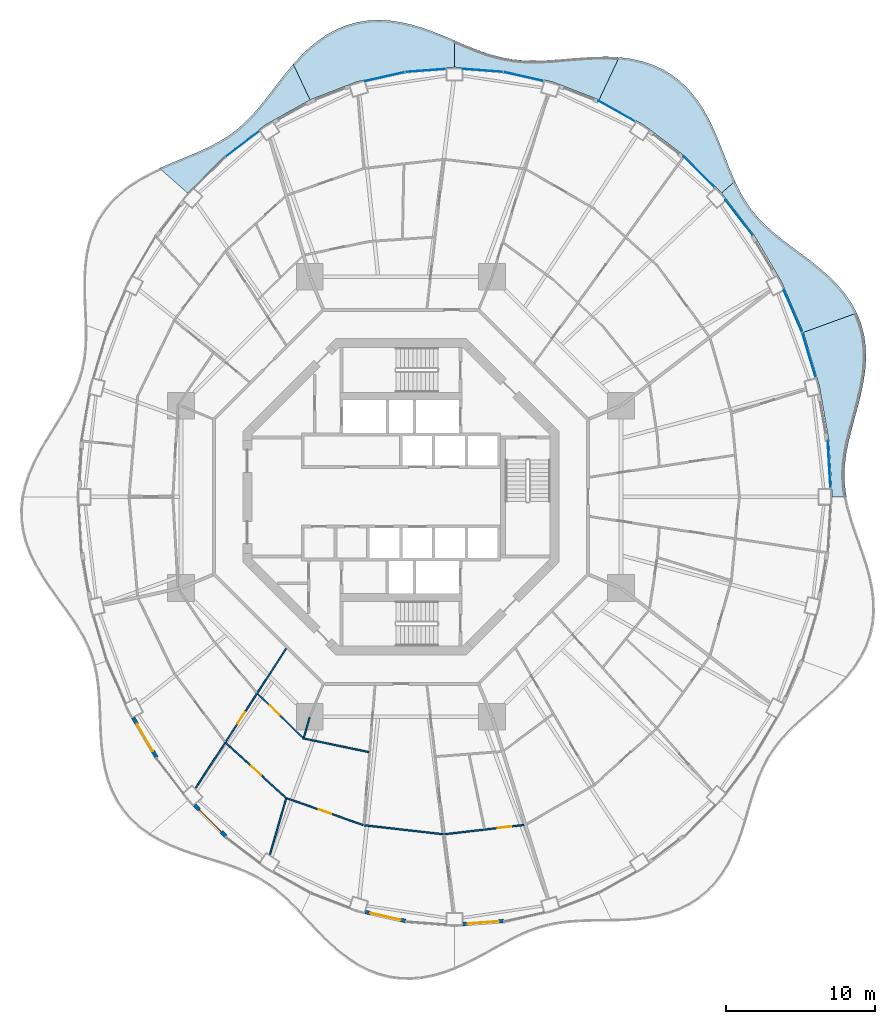
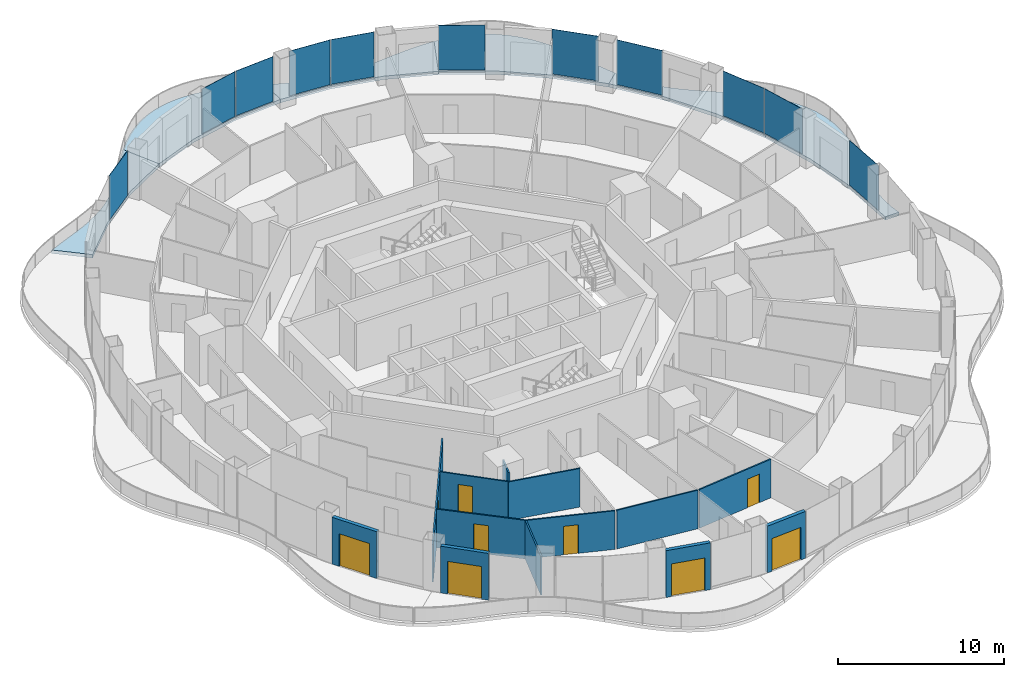
# One storey, part 10 of 19: 13 walls, 11 plates, 9 doors, 6 slabs, 9 openings, 11 elements without a shape of their own.
"""IFC4 building model written with IfcOpenShell, lengths in metres."""

from ifc_helpers import new_model, si_unit, direction, frame, frame_2d, origin, origin_2d, place, context, subcontext, project, spatial, polyline, rectangle, outline, extrude, material, layer, layer_set, type_object, element, fill, aggregate, save


model = new_model("IFC4")

# Units and contexts
model_context = context("Model", 3, precision=1e-05, world=origin(), true_north=direction((0.0, 1.0)))
body_context = subcontext(model_context, "Body", "Model", "MODEL_VIEW")
ifc_project = project(units=[si_unit("LENGTHUNIT", "METRE"), si_unit("AREAUNIT", "SQUARE_METRE"), si_unit("VOLUMEUNIT", "CUBIC_METRE"), si_unit("PLANEANGLEUNIT", "RADIAN"), si_unit("MASSUNIT", "GRAM", prefix="KILO")], contexts=[model_context])

# Site, building, storey
site_placement = place(None, origin())
site = spatial("IfcSite", under=ifc_project, at=site_placement, CompositionType="ELEMENT")
building_placement = place(site_placement, origin())
building = spatial("IfcBuilding", under=site, at=building_placement, Name="Nagisa Residences", CompositionType="ELEMENT")
storey_placement = place(building_placement, frame((0.0, 0.0, 195.5)))
storey = spatial("IfcBuildingStorey", under=building, at=storey_placement, Name="L49", CompositionType="ELEMENT", Elevation=195.5)

# Slabs
ifc_material_1 = material(Name="Concrete C40/50", Category="concrete")
ifc_layer_1 = layer(ifc_material_1, 0.25)
ifc_layer_set_1 = layer_set([ifc_layer_1], Name="BALCONY SLAB 250")
slab_type = type_object("IfcSlabType", Name="BALCONY SLAB 250", PredefinedType="FLOOR", material=ifc_layer_set_1)
slab_1_placement = place(storey_placement, frame((0.0, 0.0, -0.25)))
element("IfcSlab", 1, at=slab_1_placement, inside=storey, type_object=slab_type, Name="slab:L49:bal00", PredefinedType="FLOOR", context=body_context, shape_type="SweptSolid", body=[
    extrude(outline(polyline([(29.934326171875, 0.0), (29.834228515625, 0.72314453125), (29.799072265625, 1.445556640625), (29.82958984375, 2.171875), (29.921630859375, 2.906982421875), (30.06640625, 3.654541015625), (30.251708984375, 4.417236328125), (30.4619140625, 5.19580078125), (30.679443359375, 5.990234375), (30.885009765625, 6.798095703125), (31.059814453125, 7.615234375), (31.185546875, 8.436279296875), (31.245849609375, 9.254638671875), (31.22802734375, 10.06298828125), (31.122314453125, 10.85400390625), (30.923095703125, 11.6201171875), (30.6298828125, 12.35546875), (27.04345703125, 11.050048828125), (28.1103515625, 7.473388671875), (28.7578125, 3.76904296875), (28.97509765625, 0.0), (29.934326171875, 0.0)])), origin(), (0.0, 0.0, 1.0), 0.25),
])
slab_2_placement = place(storey_placement, frame((0.0, 0.0, -0.25)))
element("IfcSlab", 2, at=slab_2_placement, inside=storey, type_object=slab_type, Name="slab:L49:bal01", PredefinedType="FLOOR", context=body_context, shape_type="SweptSolid", body=[
    extrude(outline(polyline([(30.6298828125, 12.35546875), (30.259033203125, 13.03369140625), (29.81005859375, 13.67529296875), (29.293212890625, 14.279541015625), (28.721435546875, 14.84716796875), (28.109619140625, 15.381591796875), (27.4736328125, 15.887939453125), (26.82958984375, 16.373291015625), (26.19287109375, 16.845947265625), (25.57763671875, 17.315185546875), (24.9951171875, 17.79052734375), (24.4541015625, 18.281494140625), (23.960205078125, 18.796630859375), (23.51513671875, 19.3427734375), (23.1171875, 19.92529296875), (22.761474609375, 20.54638671875), (22.43994140625, 21.2060546875), (21.542724609375, 20.417724609375), (23.7314453125, 17.577880859375), (25.575439453125, 14.4375), (27.04345703125, 11.050048828125), (30.6298828125, 12.35546875)])), origin(), (0.0, 0.0, 1.0), 0.25),
])
slab_3_placement = place(storey_placement, frame((0.0, 0.0, -0.25)))
element("IfcSlab", 3, at=slab_3_placement, inside=storey, type_object=slab_type, Name="slab:L49:bal02", PredefinedType="FLOOR", context=body_context, shape_type="SweptSolid", body=[
    extrude(outline(polyline([(22.43994140625, 21.2060546875), (22.15576171875, 21.867919921875), (21.88232421875, 22.556884765625), (21.608642578125, 23.265380859375), (21.322998046875, 23.984130859375), (21.01416015625, 24.702392578125), (20.672119140625, 25.40771484375), (20.28857421875, 26.087890625), (19.856689453125, 26.730224609375), (19.37255859375, 27.3232421875), (18.833984375, 27.85693359375), (18.2421875, 28.32275390625), (17.600341796875, 28.71484375), (16.913330078125, 29.030517578125), (16.18798828125, 29.269775390625), (15.43310546875, 29.435546875), (14.6572265625, 29.5341796875), (13.310546875, 26.677001953125), (16.28759765625, 25.006591796875), (19.04736328125, 22.907958984375), (21.542724609375, 20.417724609375), (22.43994140625, 21.2060546875)])), origin(), (0.0, 0.0, 1.0), 0.25),
])
slab_4_placement = place(storey_placement, frame((0.0, 0.0, -0.25)))
element("IfcSlab", 4, at=slab_4_placement, inside=storey, type_object=slab_type, Name="slab:L49:bal03", PredefinedType="FLOOR", context=body_context, shape_type="SweptSolid", body=[
    extrude(outline(polyline([(14.6572265625, 29.5341796875), (13.898193359375, 29.573974609375), (13.13623046875, 29.56982421875), (12.3779296875, 29.533203125), (11.6298828125, 29.47705078125), (10.89599609375, 29.413818359375), (10.1796875, 29.3564453125), (9.48193359375, 29.317138671875), (8.802490234375, 29.305908203125), (8.139404296875, 29.33154296875), (7.489013671875, 29.3994140625), (6.84765625, 29.5126953125), (6.2099609375, 29.671630859375), (5.57080078125, 29.873291015625), (4.925537109375, 30.11181640625), (4.269775390625, 30.378662109375), (3.60009765625, 30.6630859375), (3.60009765625, 28.875), (6.912109375, 28.6279296875), (10.16748046875, 27.89111328125), (13.310546875, 26.677001953125), (14.6572265625, 29.5341796875)])), origin(), (0.0, 0.0, 1.0), 0.25),
])
slab_5_placement = place(storey_placement, frame((0.0, 0.0, -0.25)))
element("IfcSlab", 5, at=slab_5_placement, inside=storey, type_object=slab_type, Name="slab:L49:bal04", PredefinedType="FLOOR", context=body_context, shape_type="SweptSolid", body=[
    extrude(outline(polyline([(3.60009765625, 30.6630859375), (2.9140625, 30.95263671875), (2.211181640625, 31.233642578125), (1.4921875, 31.492431640625), (0.759521484375, 31.714599609375), (0.016845703125, 31.887451171875), (-0.730712890625, 31.99951171875), (-1.4775390625, 32.04150390625), (-2.21728515625, 32.006591796875), (-2.94287109375, 31.890380859375), (-3.6484375, 31.692138671875), (-4.328369140625, 31.413818359375), (-4.97802734375, 31.06005859375), (-5.594482421875, 30.63818359375), (-6.176025390625, 30.158447265625), (-6.7236328125, 29.631591796875), (-7.23876953125, 29.070556640625), (-6.110595703125, 26.677001953125), (-2.967529296875, 27.89111328125), (0.287841796875, 28.6279296875), (3.60009765625, 28.875), (3.60009765625, 30.6630859375)])), origin(), (0.0, 0.0, 1.0), 0.25),
])
slab_6_placement = place(storey_placement, frame((0.0, 0.0, -0.25)))
element("IfcSlab", 6, at=slab_6_placement, inside=storey, type_object=slab_type, Name="slab:L49:bal05", PredefinedType="FLOOR", context=body_context, shape_type="SweptSolid", body=[
    extrude(outline(polyline([(-7.23876953125, 29.070556640625), (-7.743408203125, 28.466064453125), (-8.22412109375, 27.853759765625), (-8.68798828125, 27.246826171875), (-9.143798828125, 26.65771484375), (-9.600830078125, 26.096923828125), (-10.06787109375, 25.572021484375), (-10.553466796875, 25.088134765625), (-11.064697265625, 24.64697265625), (-11.606689453125, 24.248046875), (-12.18310546875, 23.887451171875), (-12.794677734375, 23.559326171875), (-13.439697265625, 23.25537109375), (-14.11376953125, 22.966064453125), (-14.810302734375, 22.6806640625), (-15.5205078125, 22.388671875), (-16.233642578125, 22.079345703125), (-14.3427734375, 20.417724609375), (-11.847412109375, 22.907958984375), (-9.08740234375, 25.006591796875), (-6.110595703125, 26.677001953125), (-7.23876953125, 29.070556640625)])), origin(), (0.0, 0.0, 1.0), 0.25),
])

# Curtain wall, plate
ifc_material_2 = material(Name="Concrete-coloured aluminium curtain wall system", Category="concrete")
ifc_layer_2 = layer(ifc_material_2, 0.159912109375)
ifc_layer_set_2 = layer_set([ifc_layer_2], Name="CW1 CURTAIN WALL")
curtain_wall_type = type_object("IfcCurtainWallType", Name="CW1 CURTAIN WALL", PredefinedType="NOTDEFINED", material=ifc_layer_set_2)
curtain_wall_1_placement = place(storey_placement, origin())
curtain_wall_1 = element("IfcCurtainWall", 7, at=curtain_wall_1_placement, inside=storey, type_object=curtain_wall_type, Name="cw:CW1:L49:00", PredefinedType="NOTDEFINED")
ifc_material_3 = material(Name="Clear laminated glass", Category="glass")
ifc_layer_3 = layer(ifc_material_3, 0.028076171875)
ifc_layer_set_3 = layer_set([ifc_layer_3], Name="CW1 GLASS PANEL")
plate_type = type_object("IfcPlateType", Name="CW1 GLASS PANEL", PredefinedType="CURTAIN_PANEL", material=ifc_layer_set_3)
plate_1_placement = place(storey_placement, frame((28.76904296875, 2.184326171875, 0.14990234375), z_axis=(0.0, 0.0, 1.0), x_axis=(-0.057503492216, 0.998345305184, 0.0)))
plate_1 = element("IfcPlate", 8, at=plate_1_placement, type_object=plate_type, Name="CW1 panel", PredefinedType="CURTAIN_PANEL", context=body_context, shape_type="SweptSolid", body=[
    extrude(rectangle(XDim=3.165283203125, YDim=0.028076171875, at=origin_2d()), origin(), (0.0, 0.0, 1.0), 3.2900390625),
])
aggregate(curtain_wall_1, [plate_1])

curtain_wall_2_placement = place(storey_placement, origin())
curtain_wall_2 = element("IfcCurtainWall", 9, at=curtain_wall_2_placement, inside=storey, type_object=curtain_wall_type, Name="cw:CW1:L49:02", PredefinedType="NOTDEFINED")
plate_2_placement = place(storey_placement, frame((27.4130859375, 9.531005859375, 0.14990234375), z_axis=(0.0, 0.0, 1.0), x_axis=(-0.285860274038, 0.958271310082, 0.0)))
plate_2 = element("IfcPlate", 10, at=plate_2_placement, type_object=plate_type, Name="CW1 panel", PredefinedType="CURTAIN_PANEL", context=body_context, shape_type="SweptSolid", body=[
    extrude(rectangle(XDim=3.122314453125, YDim=0.028076171875, at=origin_2d()), origin(), (0.0, 0.0, 1.0), 3.2900390625),
])
aggregate(curtain_wall_2, [plate_2])

curtain_wall_3_placement = place(storey_placement, origin())
curtain_wall_3 = element("IfcCurtainWall", 11, at=curtain_wall_3_placement, inside=storey, type_object=curtain_wall_type, Name="cw:CW1:L49:03", PredefinedType="NOTDEFINED")
plate_3_placement = place(storey_placement, frame((26.33349609375, 12.487060546875, 0.14990234375), z_axis=(0.0, 0.0, 1.0), x_axis=(-0.397635934147, 0.917543276295, 0.0)))
plate_3 = element("IfcPlate", 12, at=plate_3_placement, type_object=plate_type, Name="CW1 panel", PredefinedType="CURTAIN_PANEL", context=body_context, shape_type="SweptSolid", body=[
    extrude(rectangle(XDim=3.08203125, YDim=0.028076171875, at=origin_2d()), origin(), (0.0, 0.0, 1.0), 3.2900390625),
])
aggregate(curtain_wall_3, [plate_3])

curtain_wall_4_placement = place(storey_placement, origin())
curtain_wall_4 = element("IfcCurtainWall", 13, at=curtain_wall_4_placement, inside=storey, type_object=curtain_wall_type, Name="cw:CW1:L49:05", PredefinedType="NOTDEFINED")
plate_4_placement = place(storey_placement, frame((22.723388671875, 18.7548828125, 0.14990234375), z_axis=(0.0, 0.0, 1.0), x_axis=(-0.610429828235, 0.792070340816, 0.0)))
plate_4 = element("IfcPlate", 14, at=plate_4_placement, type_object=plate_type, Name="CW1 panel", PredefinedType="CURTAIN_PANEL", context=body_context, shape_type="SweptSolid", body=[
    extrude(rectangle(XDim=2.97509765625, YDim=0.028076171875, at=origin_2d()), origin(), (0.0, 0.0, 1.0), 3.2900390625),
])
aggregate(curtain_wall_4, [plate_4])

curtain_wall_5_placement = place(storey_placement, origin())
curtain_wall_5 = element("IfcCurtainWall", 15, at=curtain_wall_5_placement, inside=storey, type_object=curtain_wall_type, Name="cw:CW1:L49:06", PredefinedType="NOTDEFINED")
plate_5_placement = place(storey_placement, frame((20.022705078125, 21.82177734375, 0.14990234375), z_axis=(0.0, 0.0, 1.0), x_axis=(-0.707835924016, 0.706376885714, 0.0)))
plate_5 = element("IfcPlate", 16, at=plate_5_placement, type_object=plate_type, Name="CW1 panel", PredefinedType="CURTAIN_PANEL", context=body_context, shape_type="SweptSolid", body=[
    extrude(rectangle(XDim=2.91552734375, YDim=0.028076171875, at=origin_2d()), origin(), (0.0, 0.0, 1.0), 3.2900390625),
])
aggregate(curtain_wall_5, [plate_5])

curtain_wall_6_placement = place(storey_placement, origin())
curtain_wall_6 = element("IfcCurtainWall", 17, at=curtain_wall_6_placement, inside=storey, type_object=curtain_wall_type, Name="cw:CW1:L49:08", PredefinedType="NOTDEFINED")
plate_6_placement = place(storey_placement, frame((14.493896484375, 25.921142578125, 0.14990234375), z_axis=(0.0, 0.0, 1.0), x_axis=(-0.872072377523, 0.489376918501, 0.0)))
plate_6 = element("IfcPlate", 18, at=plate_6_placement, type_object=plate_type, Name="CW1 panel", PredefinedType="CURTAIN_PANEL", context=body_context, shape_type="SweptSolid", body=[
    extrude(rectangle(XDim=2.8037109375, YDim=0.028076171875, at=origin_2d()), origin(), (0.0, 0.0, 1.0), 3.2900390625),
])
aggregate(curtain_wall_6, [plate_6])

curtain_wall_7_placement = place(storey_placement, origin())
curtain_wall_7 = element("IfcCurtainWall", 19, at=curtain_wall_7_placement, inside=storey, type_object=curtain_wall_type, Name="cw:CW1:L49:10", PredefinedType="NOTDEFINED")
plate_7_placement = place(storey_placement, frame((8.224609375, 28.248779296875, 0.14990234375), z_axis=(0.0, 0.0, 1.0), x_axis=(-0.975327274089, 0.2207639201, 0.0)))
plate_7 = element("IfcPlate", 20, at=plate_7_placement, type_object=plate_type, Name="CW1 panel", PredefinedType="CURTAIN_PANEL", context=body_context, shape_type="SweptSolid", body=[
    extrude(rectangle(XDim=2.727783203125, YDim=0.028076171875, at=origin_2d()), origin(), (0.0, 0.0, 1.0), 3.2900390625),
])
aggregate(curtain_wall_7, [plate_7])

curtain_wall_8_placement = place(storey_placement, origin())
curtain_wall_8 = element("IfcCurtainWall", 21, at=curtain_wall_8_placement, inside=storey, type_object=curtain_wall_type, Name="cw:CW1:L49:11", PredefinedType="NOTDEFINED")
plate_8_placement = place(storey_placement, frame((5.494384765625, 28.653564453125, 0.14990234375), z_axis=(0.0, 0.0, 1.0), x_axis=(-0.997230168512, 0.074377355493, 0.0)))
plate_8 = element("IfcPlate", 22, at=plate_8_placement, type_object=plate_type, Name="CW1 panel", PredefinedType="CURTAIN_PANEL", context=body_context, shape_type="SweptSolid", body=[
    extrude(rectangle(XDim=2.711181640625, YDim=0.028076171875, at=origin_2d()), origin(), (0.0, 0.0, 1.0), 3.2900390625),
])
aggregate(curtain_wall_8, [plate_8])

curtain_wall_9_placement = place(storey_placement, origin())
curtain_wall_9 = element("IfcCurtainWall", 23, at=curtain_wall_9_placement, inside=storey, type_object=curtain_wall_type, Name="cw:CW1:L49:12", PredefinedType="NOTDEFINED")
plate_9_placement = place(storey_placement, frame((1.645751953125, 28.64892578125, 0.14990234375), z_axis=(0.0, 0.0, 1.0), x_axis=(-0.997230168512, -0.074377355493, 0.0)))
plate_9 = element("IfcPlate", 24, at=plate_9_placement, type_object=plate_type, Name="CW1 panel", PredefinedType="CURTAIN_PANEL", context=body_context, shape_type="SweptSolid", body=[
    extrude(rectangle(XDim=2.711181640625, YDim=0.028076171875, at=origin_2d()), origin(), (0.0, 0.0, 1.0), 3.2900390625),
])
aggregate(curtain_wall_9, [plate_9])

curtain_wall_10_placement = place(storey_placement, origin())
curtain_wall_10 = element("IfcCurtainWall", 25, at=curtain_wall_10_placement, inside=storey, type_object=curtain_wall_type, Name="cw:CW1:L49:13", PredefinedType="NOTDEFINED")
plate_10_placement = place(storey_placement, frame((-1.083251953125, 28.235595703125, 0.14990234375), z_axis=(0.0, 0.0, 1.0), x_axis=(-0.975327274089, -0.2207639201, 0.0)))
plate_10 = element("IfcPlate", 26, at=plate_10_placement, type_object=plate_type, Name="CW1 panel", PredefinedType="CURTAIN_PANEL", context=body_context, shape_type="SweptSolid", body=[
    extrude(rectangle(XDim=2.727783203125, YDim=0.028076171875, at=origin_2d()), origin(), (0.0, 0.0, 1.0), 3.2900390625),
])
aggregate(curtain_wall_10, [plate_10])

curtain_wall_11_placement = place(storey_placement, origin())
curtain_wall_11 = element("IfcCurtainWall", 27, at=curtain_wall_11_placement, inside=storey, type_object=curtain_wall_type, Name="cw:CW1:L49:16", PredefinedType="NOTDEFINED")
plate_11_placement = place(storey_placement, frame((-10.661865234375, 23.708984375, 0.14990234375), z_axis=(0.0, 0.0, 1.0), x_axis=(-0.79603132756, -0.605255421737, 0.0)))
plate_11 = element("IfcPlate", 28, at=plate_11_placement, type_object=plate_type, Name="CW1 panel", PredefinedType="CURTAIN_PANEL", context=body_context, shape_type="SweptSolid", body=[
    extrude(rectangle(XDim=2.85693359375, YDim=0.028076171875, at=origin_2d()), origin(), (0.0, 0.0, 1.0), 3.2900390625),
])
aggregate(curtain_wall_11, [plate_11])

# Wall, opening, door
ifc_material_4 = material(Name="Gypsum board on steel studs", Category="steel")
ifc_layer_4 = layer(ifc_material_4, 0.10009765625)
ifc_layer_set_4 = layer_set([ifc_layer_4], Name="Apartment partition 100")
wall_type_1 = type_object("IfcWallType", Name="Apartment partition 100", PredefinedType="PARTITIONING", material=ifc_layer_set_4)
wall_1_placement = place(storey_placement, frame((-7.71240234375, -10.1953125, 0.0), z_axis=(0.0, 0.0, 1.0), x_axis=(-0.544176533609, -0.838970738625, 0.0)))
wall_1 = element("IfcWall", 29, at=wall_1_placement, inside=storey, type_object=wall_type_1, Name="wall:L49:u62", PredefinedType="PARTITIONING", context=body_context, shape_type="SweptSolid", body=[
    extrude(rectangle(XDim=11.155517578125, YDim=0.10009765625, at=frame_2d((5.57763671875, 0.0))), origin(), (0.0, 0.0, 1.0), 2.756103515625),
])
opening_1_placement = place(wall_1_placement, frame((5.100830078125, 0.0, 0.0)))
opening_1 = element("IfcOpeningElement", 30, at=opening_1_placement, cuts=wall_1, Name="Opening L49-U10", PredefinedType="OPENING", context=body_context, shape_type="SweptSolid", body=[
    extrude(rectangle(XDim=0.89990234375, YDim=2.10009765625, at=frame_2d((0.449951171875, 1.050048828125))), frame((0.0, 0.06005859375, 0.0), z_axis=(0.0, -1.0, 0.0), x_axis=(1.0, 0.0, 0.0)), (0.0, 0.0, 1.0), 0.1201171875),
])
ifc_material_5 = material(Name="Timber door set", Category="wood")
door_type_1 = type_object("IfcDoorType", Name="Apartment door 900x2100", OperationType="NOTDEFINED", PredefinedType="DOOR", material=ifc_material_5)
door_1_placement = place(opening_1_placement, frame((0.89990234375, 0.0, 0.0), x_axis=(-1.0, 0.0, 0.0)))
door_1 = element("IfcDoor", 31, at=door_1_placement, inside=storey, type_object=door_type_1, Name="Door to kitchen, Apartment 49A", OperationType="SINGLE_SWING_LEFT", OverallHeight=2.10009765625, OverallWidth=0.89990234375, PredefinedType="DOOR", context=body_context, shape_type="SweptSolid", body=[
    extrude(rectangle(XDim=0.89990234375, YDim=2.10009765625, at=frame_2d((0.449951171875, 1.050048828125))), frame((0.0, 0.02490234375, 0.0), z_axis=(0.0, -1.0, 0.0), x_axis=(1.0, 0.0, 0.0)), (0.0, 0.0, 1.0), 0.050048828125),
])
fill(opening_1, door_1)

wall_2_placement = place(storey_placement, frame((-9.62744140625, -13.238037109375, 0.0), z_axis=(0.0, 0.0, 1.0), x_axis=(0.716946269374, -0.697128429223, 0.0)))
wall_2 = element("IfcWall", 32, at=wall_2_placement, inside=storey, type_object=wall_type_1, Name="wall:L49:u63", PredefinedType="PARTITIONING", context=body_context, shape_type="SweptSolid", body=[
    extrude(rectangle(XDim=4.250244140625, YDim=0.10009765625, at=frame_2d((2.125, 0.0))), origin(), (0.0, 0.0, 1.0), 2.8369140625),
])
opening_2_placement = place(wall_2_placement, frame((1.14501953125, 0.0, 0.0)))
opening_2 = element("IfcOpeningElement", 33, at=opening_2_placement, cuts=wall_2, Name="Opening L49-U09", PredefinedType="OPENING", context=body_context, shape_type="SweptSolid", body=[
    extrude(rectangle(XDim=0.89990234375, YDim=2.10009765625, at=frame_2d((0.449951171875, 1.050048828125))), frame((0.0, 0.06005859375, 0.0), z_axis=(0.0, -1.0, 0.0), x_axis=(1.0, 0.0, 0.0)), (0.0, 0.0, 1.0), 0.1201171875),
])
door_2_placement = place(opening_2_placement, origin())
door_2 = element("IfcDoor", 34, at=door_2_placement, inside=storey, type_object=door_type_1, Name="Door to laundry, Apartment 49A", OperationType="SINGLE_SWING_LEFT", OverallHeight=2.10009765625, OverallWidth=0.89990234375, PredefinedType="DOOR", context=body_context, shape_type="SweptSolid", body=[
    extrude(rectangle(XDim=0.89990234375, YDim=2.10009765625, at=frame_2d((0.449951171875, 1.050048828125))), frame((0.0, 0.02490234375, 0.0), z_axis=(0.0, -1.0, 0.0), x_axis=(1.0, 0.0, 0.0)), (0.0, 0.0, 1.0), 0.050048828125),
])
fill(opening_2, door_2)

wall_3_placement = place(storey_placement, frame((-11.765625, -16.534912109375, 0.0), z_axis=(0.0, 0.0, 1.0), x_axis=(0.738053852169, -0.674741810842, 0.0)))
wall_3 = element("IfcWall", 35, at=wall_3_placement, inside=storey, type_object=wall_type_1, Name="wall:L49:u64", PredefinedType="PARTITIONING", context=body_context, shape_type="SweptSolid", body=[
    extrude(rectangle(XDim=5.549072265625, YDim=0.10009765625, at=frame_2d((2.7744140625, 0.0))), origin(), (0.0, 0.0, 1.0), 2.8369140625),
])
opening_3_placement = place(wall_3_placement, frame((2.299560546875, 0.0, 0.0)))
opening_3 = element("IfcOpeningElement", 36, at=opening_3_placement, cuts=wall_3, Name="Opening L49-U06", PredefinedType="OPENING", context=body_context, shape_type="SweptSolid", body=[
    extrude(rectangle(XDim=0.89990234375, YDim=2.10009765625, at=frame_2d((0.449951171875, 1.050048828125))), frame((0.0, 0.06005859375, 0.0), z_axis=(0.0, -1.0, 0.0), x_axis=(1.0, 0.0, 0.0)), (0.0, 0.0, 1.0), 0.1201171875),
])
door_3_placement = place(opening_3_placement, frame((0.89990234375, 0.0, 0.0), x_axis=(-1.0, 0.0, 0.0)))
door_3 = element("IfcDoor", 37, at=door_3_placement, inside=storey, type_object=door_type_1, Name="Door to master bedroom, Apartment 49A", OperationType="SINGLE_SWING_LEFT", OverallHeight=2.10009765625, OverallWidth=0.89990234375, PredefinedType="DOOR", context=body_context, shape_type="SweptSolid", body=[
    extrude(rectangle(XDim=0.89990234375, YDim=2.10009765625, at=frame_2d((0.449951171875, 1.050048828125))), frame((0.0, 0.02490234375, 0.0), z_axis=(0.0, -1.0, 0.0), x_axis=(1.0, 0.0, 0.0)), (0.0, 0.0, 1.0), 0.050048828125),
])
fill(opening_3, door_3)

# Walls
wall_4_placement = place(storey_placement, frame((-6.136962890625, -14.83056640625, 0.0), z_axis=(0.0, 0.0, 1.0), x_axis=(-0.2785069197, -0.960434222464, 0.0)))
element("IfcWall", 38, at=wall_4_placement, inside=storey, type_object=wall_type_1, Name="wall:L49:u66", PredefinedType="PARTITIONING", context=body_context, shape_type="SweptSolid", body=[
    extrude(rectangle(XDim=1.4130859375, YDim=0.10009765625, at=frame_2d((0.70654296875, 0.0))), origin(), (0.0, 0.0, 1.0), 3.43994140625),
])
wall_5_placement = place(storey_placement, frame((-6.593505859375, -16.2255859375, 0.0), z_axis=(0.0, 0.0, 1.0), x_axis=(0.978902428641, -0.204328253553, 0.0)))
element("IfcWall", 39, at=wall_5_placement, inside=storey, type_object=wall_type_1, Name="wall:L49:u67", PredefinedType="PARTITIONING", context=body_context, shape_type="SweptSolid", body=[
    extrude(rectangle(XDim=4.53564453125, YDim=0.10009765625, at=frame_2d((2.267822265625, 0.0))), origin(), (0.0, 0.0, 1.0), 2.8369140625),
])
wall_6_placement = place(storey_placement, frame((-7.720947265625, -20.293212890625, 0.0), z_axis=(0.0, 0.0, 1.0), x_axis=(-0.278445616281, -0.960451997121, 0.0)))
element("IfcWall", 40, at=wall_6_placement, inside=storey, type_object=wall_type_1, Name="wall:L49:u68", PredefinedType="PARTITIONING", context=body_context, shape_type="SweptSolid", body=[
    extrude(rectangle(XDim=3.885009765625, YDim=0.10009765625, at=frame_2d((1.9423828125, 0.0))), origin(), (0.0, 0.0, 1.0), 2.8369140625),
])

# Wall, opening, door
wall_7_placement = place(storey_placement, frame((-7.659912109375, -20.26171875, 0.0), z_axis=(0.0, 0.0, 1.0), x_axis=(0.943911038661, -0.330199865375, 0.0)))
wall_7 = element("IfcWall", 41, at=wall_7_placement, inside=storey, type_object=wall_type_1, Name="wall:L49:u69", PredefinedType="PARTITIONING", context=body_context, shape_type="SweptSolid", body=[
    extrude(rectangle(XDim=5.41748046875, YDim=0.10009765625, at=frame_2d((2.708740234375, 0.0))), origin(), (0.0, 0.0, 1.0), 2.8369140625),
])
opening_4_placement = place(wall_7_placement, frame((2.2587890625, 0.0, 0.0)))
opening_4 = element("IfcOpeningElement", 42, at=opening_4_placement, cuts=wall_7, Name="Opening L49-U07", PredefinedType="OPENING", context=body_context, shape_type="SweptSolid", body=[
    extrude(rectangle(XDim=0.89990234375, YDim=2.10009765625, at=frame_2d((0.449951171875, 1.050048828125))), frame((0.0, 0.06005859375, 0.0), z_axis=(0.0, -1.0, 0.0), x_axis=(1.0, 0.0, 0.0)), (0.0, 0.0, 1.0), 0.1201171875),
])
door_4_placement = place(opening_4_placement, frame((0.89990234375, 0.0, 0.0), x_axis=(-1.0, 0.0, 0.0)))
door_4 = element("IfcDoor", 43, at=door_4_placement, inside=storey, type_object=door_type_1, Name="Door to family room, Apartment 49A", OperationType="SINGLE_SWING_RIGHT", OverallHeight=2.10009765625, OverallWidth=0.89990234375, PredefinedType="DOOR", context=body_context, shape_type="SweptSolid", body=[
    extrude(rectangle(XDim=0.89990234375, YDim=2.10009765625, at=frame_2d((0.449951171875, 1.050048828125))), frame((0.0, 0.02490234375, 0.0), z_axis=(0.0, -1.0, 0.0), x_axis=(1.0, 0.0, 0.0)), (0.0, 0.0, 1.0), 0.050048828125),
])
fill(opening_4, door_4)

# Wall
wall_8_placement = place(storey_placement, frame((-2.449462890625, -22.07275390625, 0.0), z_axis=(0.0, 0.0, 1.0), x_axis=(0.993660315081, -0.112424099879, 0.0)))
element("IfcWall", 44, at=wall_8_placement, inside=storey, type_object=wall_type_1, Name="wall:L49:u71", PredefinedType="PARTITIONING", context=body_context, shape_type="SweptSolid", body=[
    extrude(rectangle(XDim=5.32470703125, YDim=0.10009765625, at=frame_2d((2.662353515625, 0.0))), origin(), (0.0, 0.0, 1.0), 2.8369140625),
])

# Wall, opening, door
wall_9_placement = place(storey_placement, frame((2.94091796875, -22.67138671875, 0.0), z_axis=(0.0, 0.0, 1.0), x_axis=(0.993247307754, 0.116016316261, 0.0)))
wall_9 = element("IfcWall", 45, at=wall_9_placement, inside=storey, type_object=wall_type_1, Name="wall:L49:u74", PredefinedType="PARTITIONING", context=body_context, shape_type="SweptSolid", body=[
    extrude(rectangle(XDim=5.357666015625, YDim=0.10009765625, at=frame_2d((2.6787109375, 0.0))), origin(), (0.0, 0.0, 1.0), 2.8369140625),
])
opening_5_placement = place(wall_9_placement, frame((3.580810546875, 0.0, 0.0)))
opening_5 = element("IfcOpeningElement", 46, at=opening_5_placement, cuts=wall_9, Name="Opening L49-U11", PredefinedType="OPENING", context=body_context, shape_type="SweptSolid", body=[
    extrude(rectangle(XDim=0.89990234375, YDim=2.10009765625, at=frame_2d((0.449951171875, 1.050048828125))), frame((0.0, 0.06005859375, 0.0), z_axis=(0.0, -1.0, 0.0), x_axis=(1.0, 0.0, 0.0)), (0.0, 0.0, 1.0), 0.1201171875),
])
door_5_placement = place(opening_5_placement, origin())
door_5 = element("IfcDoor", 47, at=door_5_placement, inside=storey, type_object=door_type_1, Name="Door to en-suite bathroom, Apartment 49A", OperationType="SINGLE_SWING_LEFT", OverallHeight=2.10009765625, OverallWidth=0.89990234375, PredefinedType="DOOR", context=body_context, shape_type="SweptSolid", body=[
    extrude(rectangle(XDim=0.89990234375, YDim=2.10009765625, at=frame_2d((0.449951171875, 1.050048828125))), frame((0.0, 0.02490234375, 0.0), z_axis=(0.0, -1.0, 0.0), x_axis=(1.0, 0.0, 0.0)), (0.0, 0.0, 1.0), 0.050048828125),
])
fill(opening_5, door_5)

ifc_material_6 = material(Name="Precast concrete C40/50", Category="concrete")
ifc_layer_5 = layer(ifc_material_6, 0.25)
ifc_layer_set_5 = layer_set([ifc_layer_5], Name="BALCONY DOOR WALL 250")
wall_type_2 = type_object("IfcWallType", Name="BALCONY DOOR WALL 250", PredefinedType="SOLIDWALL", material=ifc_layer_set_5)
wall_10_placement = place(storey_placement, frame((-16.423583984375, -17.5146484375, 0.0), z_axis=(0.0, 0.0, 1.0), x_axis=(-0.506309086483, 0.862352079458, 0.0)))
wall_10 = element("IfcWall", 48, at=wall_10_placement, inside=storey, type_object=wall_type_2, Name="wall:L49:bay28", PredefinedType="SOLIDWALL", context=body_context, shape_type="SweptSolid", body=[
    extrude(rectangle(XDim=3.091796875, YDim=0.25, at=frame_2d((1.5458984375, 0.0))), origin(), (0.0, 0.0, 1.0), 3.43994140625),
])
opening_6_placement = place(wall_10_placement, frame((0.495849609375, 0.0, 0.0)))
opening_6 = element("IfcOpeningElement", 49, at=opening_6_placement, cuts=wall_10, Name="Opening BD-L49-10", PredefinedType="OPENING", context=body_context, shape_type="SweptSolid", body=[
    extrude(rectangle(XDim=2.10009765625, YDim=2.39990234375, at=frame_2d((1.050048828125, 1.199951171875))), frame((0.0, 0.135009765625, 0.0), z_axis=(0.0, -1.0, 0.0), x_axis=(1.0, 0.0, 0.0)), (0.0, 0.0, 1.0), 0.27001953125),
])
ifc_material_7 = material(Name="Aluminium and clear glass", Category="aluminium")
door_type_2 = type_object("IfcDoorType", Name="BALCONY SLIDING DOOR 2100x2400", OperationType="SLIDING_TO_LEFT", PredefinedType="DOOR", material=ifc_material_7)
door_6_placement = place(opening_6_placement, origin())
door_6 = element("IfcDoor", 50, at=door_6_placement, inside=storey, type_object=door_type_2, Name="door:L49:bay28", OperationType="SLIDING_TO_LEFT", OverallHeight=2.39990234375, OverallWidth=2.10009765625, PredefinedType="DOOR", context=body_context, shape_type="SweptSolid", body=[
    extrude(rectangle(XDim=2.10009765625, YDim=2.39990234375, at=frame_2d((1.050048828125, 1.199951171875))), frame((0.0, 0.02490234375, 0.0), z_axis=(0.0, -1.0, 0.0), x_axis=(1.0, 0.0, 0.0)), (0.0, 0.0, 1.0), 0.050048828125),
])
fill(opening_6, door_6)

wall_11_placement = place(storey_placement, frame((-11.759033203125, -22.819580078125, 0.0), z_axis=(0.0, 0.0, 1.0), x_axis=(-0.707844845069, 0.706367946122, 0.0)))
wall_11 = element("IfcWall", 51, at=wall_11_placement, inside=storey, type_object=wall_type_2, Name="wall:L49:bay30", PredefinedType="SOLIDWALL", context=body_context, shape_type="SweptSolid", body=[
    extrude(rectangle(XDim=2.9755859375, YDim=0.25, at=frame_2d((1.48779296875, 0.0))), origin(), (0.0, 0.0, 1.0), 3.43994140625),
])
opening_7_placement = place(wall_11_placement, frame((0.437744140625, 0.0, 0.0)))
opening_7 = element("IfcOpeningElement", 52, at=opening_7_placement, cuts=wall_11, Name="Opening BD-L49-11", PredefinedType="OPENING", context=body_context, shape_type="SweptSolid", body=[
    extrude(rectangle(XDim=2.10009765625, YDim=2.39990234375, at=frame_2d((1.050048828125, 1.199951171875))), frame((0.0, 0.135009765625, 0.0), z_axis=(0.0, -1.0, 0.0), x_axis=(1.0, 0.0, 0.0)), (0.0, 0.0, 1.0), 0.27001953125),
])
door_7_placement = place(opening_7_placement, origin())
door_7 = element("IfcDoor", 53, at=door_7_placement, inside=storey, type_object=door_type_2, Name="door:L49:bay30", OperationType="SLIDING_TO_LEFT", OverallHeight=2.39990234375, OverallWidth=2.10009765625, PredefinedType="DOOR", context=body_context, shape_type="SweptSolid", body=[
    extrude(rectangle(XDim=2.10009765625, YDim=2.39990234375, at=frame_2d((1.050048828125, 1.199951171875))), frame((0.0, 0.02490234375, 0.0), z_axis=(0.0, -1.0, 0.0), x_axis=(1.0, 0.0, 0.0)), (0.0, 0.0, 1.0), 0.050048828125),
])
fill(opening_7, door_7)

wall_12_placement = place(storey_placement, frame((0.3154296875, -28.506103515625, 0.0), z_axis=(0.0, 0.0, 1.0), x_axis=(-0.975324329911, 0.220776926974, 0.0)))
wall_12 = element("IfcWall", 54, at=wall_12_placement, inside=storey, type_object=wall_type_2, Name="wall:L49:bay34", PredefinedType="SOLIDWALL", context=body_context, shape_type="SweptSolid", body=[
    extrude(rectangle(XDim=2.787841796875, YDim=0.25, at=frame_2d((1.39404296875, 0.0))), origin(), (0.0, 0.0, 1.0), 3.43994140625),
])
opening_8_placement = place(wall_12_placement, frame((0.343994140625, 0.0, 0.0)))
opening_8 = element("IfcOpeningElement", 55, at=opening_8_placement, cuts=wall_12, Name="Opening BD-L49-12", PredefinedType="OPENING", context=body_context, shape_type="SweptSolid", body=[
    extrude(rectangle(XDim=2.10009765625, YDim=2.39990234375, at=frame_2d((1.050048828125, 1.199951171875))), frame((0.0, 0.135009765625, 0.0), z_axis=(0.0, -1.0, 0.0), x_axis=(1.0, 0.0, 0.0)), (0.0, 0.0, 1.0), 0.27001953125),
])
door_8_placement = place(opening_8_placement, origin())
door_8 = element("IfcDoor", 56, at=door_8_placement, inside=storey, type_object=door_type_2, Name="door:L49:bay34", OperationType="SLIDING_TO_LEFT", OverallHeight=2.39990234375, OverallWidth=2.10009765625, PredefinedType="DOOR", context=body_context, shape_type="SweptSolid", body=[
    extrude(rectangle(XDim=2.10009765625, YDim=2.39990234375, at=frame_2d((1.050048828125, 1.199951171875))), frame((0.0, 0.02490234375, 0.0), z_axis=(0.0, -1.0, 0.0), x_axis=(1.0, 0.0, 0.0)), (0.0, 0.0, 1.0), 0.050048828125),
])
fill(opening_8, door_8)

wall_13_placement = place(storey_placement, frame((6.90283203125, -28.50341796875, 0.0), z_axis=(0.0, 0.0, 1.0), x_axis=(-0.997232064422, -0.074351931305, 0.0)))
wall_13 = element("IfcWall", 57, at=wall_13_placement, inside=storey, type_object=wall_type_2, Name="wall:L49:bay36", PredefinedType="SOLIDWALL", context=body_context, shape_type="SweptSolid", body=[
    extrude(rectangle(XDim=2.771240234375, YDim=0.25, at=frame_2d((1.3857421875, 0.0))), origin(), (0.0, 0.0, 1.0), 3.43994140625),
])
opening_9_placement = place(wall_13_placement, frame((0.335693359375, 0.0, 0.0)))
opening_9 = element("IfcOpeningElement", 58, at=opening_9_placement, cuts=wall_13, Name="Opening BD-L49-13", PredefinedType="OPENING", context=body_context, shape_type="SweptSolid", body=[
    extrude(rectangle(XDim=2.10009765625, YDim=2.39990234375, at=frame_2d((1.050048828125, 1.199951171875))), frame((0.0, 0.135009765625, 0.0), z_axis=(0.0, -1.0, 0.0), x_axis=(1.0, 0.0, 0.0)), (0.0, 0.0, 1.0), 0.27001953125),
])
door_9_placement = place(opening_9_placement, origin())
door_9 = element("IfcDoor", 59, at=door_9_placement, inside=storey, type_object=door_type_2, Name="door:L49:bay36", OperationType="SLIDING_TO_LEFT", OverallHeight=2.39990234375, OverallWidth=2.10009765625, PredefinedType="DOOR", context=body_context, shape_type="SweptSolid", body=[
    extrude(rectangle(XDim=2.10009765625, YDim=2.39990234375, at=frame_2d((1.050048828125, 1.199951171875))), frame((0.0, 0.02490234375, 0.0), z_axis=(0.0, -1.0, 0.0), x_axis=(1.0, 0.0, 0.0)), (0.0, 0.0, 1.0), 0.050048828125),
])
fill(opening_9, door_9)

save(model, "model.ifc")
